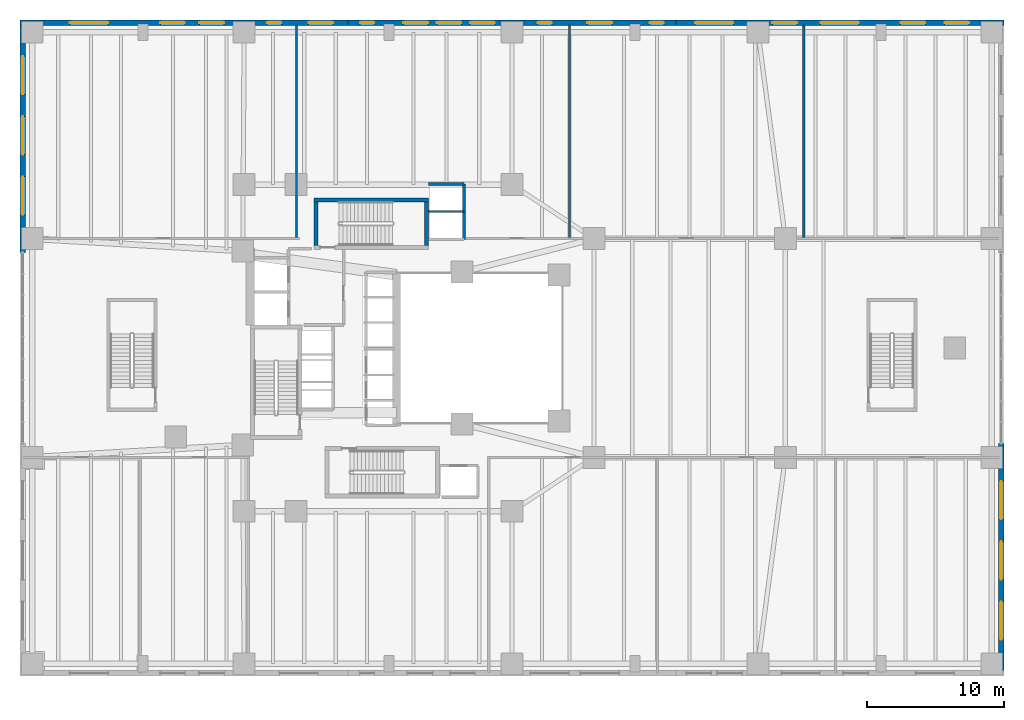
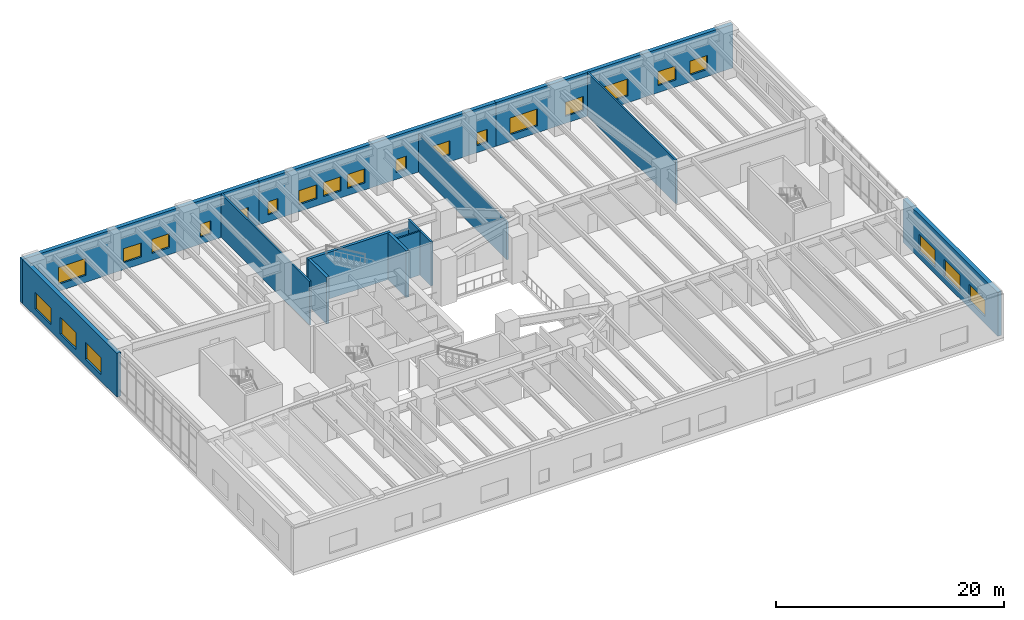
# One storey, part 15 of 18: 23 windows, 14 walls, 23 openings.
"""IFC4 building model written with IfcOpenShell, lengths in metres."""

from ifc_helpers import new_model, si_unit, direction, frame, frame_2d, origin, place, context, subcontext, project, spatial, rectangle, extrude, material, layer, layer_set, type_object, element, fill, save


model = new_model("IFC4")

# Units and contexts
model_context = context("Model", 3, precision=1e-05, world=origin(), true_north=direction((0.0, 1.0)))
body_context = subcontext(model_context, "Body", "Model", "MODEL_VIEW")
ifc_project = project(units=[si_unit("LENGTHUNIT", "METRE"), si_unit("AREAUNIT", "SQUARE_METRE"), si_unit("VOLUMEUNIT", "CUBIC_METRE"), si_unit("PLANEANGLEUNIT", "RADIAN"), si_unit("MASSUNIT", "GRAM", prefix="KILO"), si_unit("THERMODYNAMICTEMPERATUREUNIT", "KELVIN"), si_unit("POWERUNIT", "WATT")], contexts=[model_context])

# Site, building, storey
site_placement = place(None, origin())
site = spatial("IfcSite", under=ifc_project, at=site_placement, CompositionType="ELEMENT")
building_placement = place(site_placement, origin())
building = spatial("IfcBuilding", under=site, at=building_placement, Name="Skarre Station Tower", CompositionType="ELEMENT")
storey_placement = place(building_placement, frame((0.0, 0.0, 11.0)))
storey = spatial("IfcBuildingStorey", under=building, at=storey_placement, Name="L03", CompositionType="ELEMENT", Elevation=11.0)

# Wall, openings, windows
ifc_material_1 = material(Name="Precast concrete C45/55", Category="concrete")
ifc_layer_1 = layer(ifc_material_1, 0.39990234375, Name="Precast concrete C45/55")
ifc_layer_set_1 = layer_set([ifc_layer_1], Name="Precast concrete C45/55")
wall_type_1 = type_object("IfcWallType", Name="Nordic Granite Station Podium Wall 400", PredefinedType="STANDARD", material=ifc_layer_set_1)
wall_1_placement = place(storey_placement, frame((0.0, 47.800048828125, 0.0), z_axis=(0.0, 0.0, 1.0), x_axis=(1.0, 0.0, 0.0)))
wall_1 = element("IfcWall", 1, at=wall_1_placement, inside=storey, type_object=wall_type_1, Name="L03 North Podium Granite Wall NA", PredefinedType="STANDARD", context=body_context, shape_type="SweptSolid", body=[
    extrude(rectangle(XDim=24.0, YDim=0.39990234375, at=frame_2d((12.0, 0.0))), origin(), (0.0, 0.0, 1.0), 4.68994140625),
])
opening_1_placement = place(wall_1_placement, frame((3.64990234375, 0.0, 0.75)))
opening_1 = element("IfcOpeningElement", 2, at=opening_1_placement, cuts=wall_1, Name="Opening WN-POD", PredefinedType="OPENING", context=body_context, shape_type="SweptSolid", body=[
    extrude(rectangle(XDim=2.800048828125, YDim=1.800048828125, at=frame_2d((1.39990234375, 0.89990234375))), frame((0.0, 0.2099609375, 0.0), z_axis=(0.0, -1.0, 0.0), x_axis=(1.0, 0.0, 0.0)), (0.0, 0.0, 1.0), 0.419921875),
])
opening_2_placement = place(wall_1_placement, frame((10.27001953125, 0.0, 0.75)))
opening_2 = element("IfcOpeningElement", 3, at=opening_2_placement, cuts=wall_1, Name="Opening WN-Z1A", PredefinedType="OPENING", context=body_context, shape_type="SweptSolid", body=[
    extrude(rectangle(XDim=1.800048828125, YDim=1.5, at=frame_2d((0.89990234375, 0.75))), frame((0.0, 0.2099609375, 0.0), z_axis=(0.0, -1.0, 0.0), x_axis=(1.0, 0.0, 0.0)), (0.0, 0.0, 1.0), 0.419921875),
])
opening_3_placement = place(wall_1_placement, frame((13.1298828125, 0.0, 0.75)))
opening_3 = element("IfcOpeningElement", 4, at=opening_3_placement, cuts=wall_1, Name="Opening WN-Z1A", PredefinedType="OPENING", context=body_context, shape_type="SweptSolid", body=[
    extrude(rectangle(XDim=1.800048828125, YDim=1.5, at=frame_2d((0.89990234375, 0.75))), frame((0.0, 0.2099609375, 0.0), z_axis=(0.0, -1.0, 0.0), x_axis=(1.0, 0.0, 0.0)), (0.0, 0.0, 1.0), 0.419921875),
])
opening_4_placement = place(wall_1_placement, frame((18.076904296875, 0.0, 0.75)))
opening_4 = element("IfcOpeningElement", 5, at=opening_4_placement, cuts=wall_1, Name="Opening WN-SLT", PredefinedType="OPENING", context=body_context, shape_type="SweptSolid", body=[
    extrude(rectangle(XDim=1.050048828125, YDim=1.39990234375, at=frame_2d((0.52490234375, 0.699951171875))), frame((0.0, 0.2099609375, 0.0), z_axis=(0.0, -1.0, 0.0), x_axis=(1.0, 0.0, 0.0)), (0.0, 0.0, 1.0), 0.419921875),
])
opening_5_placement = place(wall_1_placement, frame((21.118896484375, 0.0, 0.75)))
opening_5 = element("IfcOpeningElement", 6, at=opening_5_placement, cuts=wall_1, Name="Opening WN-Z1A", PredefinedType="OPENING", context=body_context, shape_type="SweptSolid", body=[
    extrude(rectangle(XDim=1.800048828125, YDim=1.5, at=frame_2d((0.89990234375, 0.75))), frame((0.0, 0.2099609375, 0.0), z_axis=(0.0, -1.0, 0.0), x_axis=(1.0, 0.0, 0.0)), (0.0, 0.0, 1.0), 0.419921875),
])
ifc_material_2 = material(Name="Low-Iron Triple Glazing with Bronze Anodized Frame", Category="glass")
window_type_1 = type_object("IfcWindowType", Name="Nordic Corner Slot Window 1050x1400", PartitioningType="SINGLE_PANEL", PredefinedType="WINDOW", material=ifc_material_2)
window_1_placement = place(opening_4_placement, origin())
window_1 = element("IfcWindow", 7, at=window_1_placement, inside=storey, type_object=window_type_1, Name="L03 Facade Window WL-POD-L03-NA-4", OverallHeight=1.39990234375, OverallWidth=1.050048828125, PartitioningType="SINGLE_PANEL", PredefinedType="WINDOW", context=body_context, shape_type="SweptSolid", body=[
    extrude(rectangle(XDim=1.050048828125, YDim=1.39990234375, at=frame_2d((0.52490234375, 0.699951171875))), frame((0.0, 0.030029296875, 0.0), z_axis=(0.0, -1.0, 0.0), x_axis=(1.0, 0.0, 0.0)), (0.0, 0.0, 1.0), 0.06005859375),
])
fill(opening_4, window_1)
window_type_2 = type_object("IfcWindowType", Name="Nordic Punched Triple-Glazed Window 1800x1500", PartitioningType="SINGLE_PANEL", PredefinedType="WINDOW", material=ifc_material_2)
window_2_placement = place(opening_2_placement, origin())
window_2 = element("IfcWindow", 8, at=window_2_placement, inside=storey, type_object=window_type_2, Name="L03 Facade Window WL-POD-L03-NA-2", OverallHeight=1.5, OverallWidth=1.800048828125, PartitioningType="SINGLE_PANEL", PredefinedType="WINDOW", context=body_context, shape_type="SweptSolid", body=[
    extrude(rectangle(XDim=1.800048828125, YDim=1.5, at=frame_2d((0.89990234375, 0.75))), frame((0.0, 0.030029296875, 0.0), z_axis=(0.0, -1.0, 0.0), x_axis=(1.0, 0.0, 0.0)), (0.0, 0.0, 1.0), 0.06005859375),
])
fill(opening_2, window_2)
window_3_placement = place(opening_3_placement, origin())
window_3 = element("IfcWindow", 9, at=window_3_placement, inside=storey, type_object=window_type_2, Name="L03 Facade Window WL-POD-L03-NA-3", OverallHeight=1.5, OverallWidth=1.800048828125, PartitioningType="SINGLE_PANEL", PredefinedType="WINDOW", context=body_context, shape_type="SweptSolid", body=[
    extrude(rectangle(XDim=1.800048828125, YDim=1.5, at=frame_2d((0.89990234375, 0.75))), frame((0.0, 0.030029296875, 0.0), z_axis=(0.0, -1.0, 0.0), x_axis=(1.0, 0.0, 0.0)), (0.0, 0.0, 1.0), 0.06005859375),
])
fill(opening_3, window_3)
window_4_placement = place(opening_5_placement, origin())
window_4 = element("IfcWindow", 10, at=window_4_placement, inside=storey, type_object=window_type_2, Name="L03 Facade Window WL-POD-L03-NA-5", OverallHeight=1.5, OverallWidth=1.800048828125, PartitioningType="SINGLE_PANEL", PredefinedType="WINDOW", context=body_context, shape_type="SweptSolid", body=[
    extrude(rectangle(XDim=1.800048828125, YDim=1.5, at=frame_2d((0.89990234375, 0.75))), frame((0.0, 0.030029296875, 0.0), z_axis=(0.0, -1.0, 0.0), x_axis=(1.0, 0.0, 0.0)), (0.0, 0.0, 1.0), 0.06005859375),
])
fill(opening_5, window_4)
window_type_3 = type_object("IfcWindowType", Name="Podium Clerestory Ribbon Window 2800x1800", PartitioningType="SINGLE_PANEL", PredefinedType="WINDOW", material=ifc_material_2)
window_5_placement = place(opening_1_placement, origin())
window_5 = element("IfcWindow", 11, at=window_5_placement, inside=storey, type_object=window_type_3, Name="L03 Facade Window WL-POD-L03-NA-1", OverallHeight=1.800048828125, OverallWidth=2.800048828125, PartitioningType="SINGLE_PANEL", PredefinedType="WINDOW", context=body_context, shape_type="SweptSolid", body=[
    extrude(rectangle(XDim=2.800048828125, YDim=1.800048828125, at=frame_2d((1.39990234375, 0.89990234375))), frame((0.0, 0.030029296875, 0.0), z_axis=(0.0, -1.0, 0.0), x_axis=(1.0, 0.0, 0.0)), (0.0, 0.0, 1.0), 0.06005859375),
])
fill(opening_1, window_5)

wall_2_placement = place(storey_placement, frame((24.0, 47.800048828125, 0.0), z_axis=(0.0, 0.0, 1.0), x_axis=(1.0, 0.0, 0.0)))
wall_2 = element("IfcWall", 12, at=wall_2_placement, inside=storey, type_object=wall_type_1, Name="L03 North Podium Granite Wall NB", PredefinedType="STANDARD", context=body_context, shape_type="SweptSolid", body=[
    extrude(rectangle(XDim=24.0, YDim=0.39990234375, at=frame_2d((12.0, 0.0))), origin(), (0.0, 0.0, 1.0), 4.68994140625),
])
opening_6_placement = place(wall_2_placement, frame((0.8798828125, 0.0, 0.75)))
opening_6 = element("IfcOpeningElement", 13, at=opening_6_placement, cuts=wall_2, Name="Opening WN-SLT", PredefinedType="OPENING", context=body_context, shape_type="SweptSolid", body=[
    extrude(rectangle(XDim=1.050048828125, YDim=1.39990234375, at=frame_2d((0.52490234375, 0.699951171875))), frame((0.0, 0.2099609375, 0.0), z_axis=(0.0, -1.0, 0.0), x_axis=(1.0, 0.0, 0.0)), (0.0, 0.0, 1.0), 0.419921875),
])
opening_7_placement = place(wall_2_placement, frame((4.06005859375, 0.0, 0.75)))
opening_7 = element("IfcOpeningElement", 14, at=opening_7_placement, cuts=wall_2, Name="Opening WN-Z1A", PredefinedType="OPENING", context=body_context, shape_type="SweptSolid", body=[
    extrude(rectangle(XDim=1.800048828125, YDim=1.5, at=frame_2d((0.89990234375, 0.75))), frame((0.0, 0.2099609375, 0.0), z_axis=(0.0, -1.0, 0.0), x_axis=(1.0, 0.0, 0.0)), (0.0, 0.0, 1.0), 0.419921875),
])
opening_8_placement = place(wall_2_placement, frame((6.5, 0.0, 0.75)))
opening_8 = element("IfcOpeningElement", 15, at=opening_8_placement, cuts=wall_2, Name="Opening WN-Z1A", PredefinedType="OPENING", context=body_context, shape_type="SweptSolid", body=[
    extrude(rectangle(XDim=1.800048828125, YDim=1.5, at=frame_2d((0.89990234375, 0.75))), frame((0.0, 0.2099609375, 0.0), z_axis=(0.0, -1.0, 0.0), x_axis=(1.0, 0.0, 0.0)), (0.0, 0.0, 1.0), 0.419921875),
])
opening_9_placement = place(wall_2_placement, frame((8.93994140625, 0.0, 0.75)))
opening_9 = element("IfcOpeningElement", 16, at=opening_9_placement, cuts=wall_2, Name="Opening WN-Z1A", PredefinedType="OPENING", context=body_context, shape_type="SweptSolid", body=[
    extrude(rectangle(XDim=1.800048828125, YDim=1.5, at=frame_2d((0.89990234375, 0.75))), frame((0.0, 0.2099609375, 0.0), z_axis=(0.0, -1.0, 0.0), x_axis=(1.0, 0.0, 0.0)), (0.0, 0.0, 1.0), 0.419921875),
])
opening_10_placement = place(wall_2_placement, frame((13.8701171875, 0.0, 0.75)))
opening_10 = element("IfcOpeningElement", 17, at=opening_10_placement, cuts=wall_2, Name="Opening WN-SLT", PredefinedType="OPENING", context=body_context, shape_type="SweptSolid", body=[
    extrude(rectangle(XDim=1.050048828125, YDim=1.39990234375, at=frame_2d((0.52490234375, 0.699951171875))), frame((0.0, 0.2099609375, 0.0), z_axis=(0.0, -1.0, 0.0), x_axis=(1.0, 0.0, 0.0)), (0.0, 0.0, 1.0), 0.419921875),
])
opening_11_placement = place(wall_2_placement, frame((17.51806640625, 0.0, 0.75)))
opening_11 = element("IfcOpeningElement", 18, at=opening_11_placement, cuts=wall_2, Name="Opening WN-Z1A", PredefinedType="OPENING", context=body_context, shape_type="SweptSolid", body=[
    extrude(rectangle(XDim=1.800048828125, YDim=1.5, at=frame_2d((0.89990234375, 0.75))), frame((0.0, 0.2099609375, 0.0), z_axis=(0.0, -1.0, 0.0), x_axis=(1.0, 0.0, 0.0)), (0.0, 0.0, 1.0), 0.419921875),
])
opening_12_placement = place(wall_2_placement, frame((22.070068359375, 0.0, 0.75)))
opening_12 = element("IfcOpeningElement", 19, at=opening_12_placement, cuts=wall_2, Name="Opening WN-SLT", PredefinedType="OPENING", context=body_context, shape_type="SweptSolid", body=[
    extrude(rectangle(XDim=1.050048828125, YDim=1.39990234375, at=frame_2d((0.52490234375, 0.699951171875))), frame((0.0, 0.2099609375, 0.0), z_axis=(0.0, -1.0, 0.0), x_axis=(1.0, 0.0, 0.0)), (0.0, 0.0, 1.0), 0.419921875),
])
window_6_placement = place(opening_6_placement, origin())
window_6 = element("IfcWindow", 20, at=window_6_placement, inside=storey, type_object=window_type_1, Name="L03 Facade Window WL-POD-L03-NB-1", OverallHeight=1.39990234375, OverallWidth=1.050048828125, PartitioningType="SINGLE_PANEL", PredefinedType="WINDOW", context=body_context, shape_type="SweptSolid", body=[
    extrude(rectangle(XDim=1.050048828125, YDim=1.39990234375, at=frame_2d((0.52490234375, 0.699951171875))), frame((0.0, 0.030029296875, 0.0), z_axis=(0.0, -1.0, 0.0), x_axis=(1.0, 0.0, 0.0)), (0.0, 0.0, 1.0), 0.06005859375),
])
fill(opening_6, window_6)
window_7_placement = place(opening_10_placement, origin())
window_7 = element("IfcWindow", 21, at=window_7_placement, inside=storey, type_object=window_type_1, Name="L03 Facade Window WL-POD-L03-NB-5", OverallHeight=1.39990234375, OverallWidth=1.050048828125, PartitioningType="SINGLE_PANEL", PredefinedType="WINDOW", context=body_context, shape_type="SweptSolid", body=[
    extrude(rectangle(XDim=1.050048828125, YDim=1.39990234375, at=frame_2d((0.52490234375, 0.699951171875))), frame((0.0, 0.030029296875, 0.0), z_axis=(0.0, -1.0, 0.0), x_axis=(1.0, 0.0, 0.0)), (0.0, 0.0, 1.0), 0.06005859375),
])
fill(opening_10, window_7)
window_8_placement = place(opening_12_placement, origin())
window_8 = element("IfcWindow", 22, at=window_8_placement, inside=storey, type_object=window_type_1, Name="L03 Facade Window WL-POD-L03-NB-7", OverallHeight=1.39990234375, OverallWidth=1.050048828125, PartitioningType="SINGLE_PANEL", PredefinedType="WINDOW", context=body_context, shape_type="SweptSolid", body=[
    extrude(rectangle(XDim=1.050048828125, YDim=1.39990234375, at=frame_2d((0.52490234375, 0.699951171875))), frame((0.0, 0.030029296875, 0.0), z_axis=(0.0, -1.0, 0.0), x_axis=(1.0, 0.0, 0.0)), (0.0, 0.0, 1.0), 0.06005859375),
])
fill(opening_12, window_8)
window_9_placement = place(opening_7_placement, origin())
window_9 = element("IfcWindow", 23, at=window_9_placement, inside=storey, type_object=window_type_2, Name="L03 Facade Window WL-POD-L03-NB-2", OverallHeight=1.5, OverallWidth=1.800048828125, PartitioningType="SINGLE_PANEL", PredefinedType="WINDOW", context=body_context, shape_type="SweptSolid", body=[
    extrude(rectangle(XDim=1.800048828125, YDim=1.5, at=frame_2d((0.89990234375, 0.75))), frame((0.0, 0.030029296875, 0.0), z_axis=(0.0, -1.0, 0.0), x_axis=(1.0, 0.0, 0.0)), (0.0, 0.0, 1.0), 0.06005859375),
])
fill(opening_7, window_9)
window_10_placement = place(opening_8_placement, origin())
window_10 = element("IfcWindow", 24, at=window_10_placement, inside=storey, type_object=window_type_2, Name="L03 Facade Window WL-POD-L03-NB-3", OverallHeight=1.5, OverallWidth=1.800048828125, PartitioningType="SINGLE_PANEL", PredefinedType="WINDOW", context=body_context, shape_type="SweptSolid", body=[
    extrude(rectangle(XDim=1.800048828125, YDim=1.5, at=frame_2d((0.89990234375, 0.75))), frame((0.0, 0.030029296875, 0.0), z_axis=(0.0, -1.0, 0.0), x_axis=(1.0, 0.0, 0.0)), (0.0, 0.0, 1.0), 0.06005859375),
])
fill(opening_8, window_10)
window_11_placement = place(opening_9_placement, origin())
window_11 = element("IfcWindow", 25, at=window_11_placement, inside=storey, type_object=window_type_2, Name="L03 Facade Window WL-POD-L03-NB-4", OverallHeight=1.5, OverallWidth=1.800048828125, PartitioningType="SINGLE_PANEL", PredefinedType="WINDOW", context=body_context, shape_type="SweptSolid", body=[
    extrude(rectangle(XDim=1.800048828125, YDim=1.5, at=frame_2d((0.89990234375, 0.75))), frame((0.0, 0.030029296875, 0.0), z_axis=(0.0, -1.0, 0.0), x_axis=(1.0, 0.0, 0.0)), (0.0, 0.0, 1.0), 0.06005859375),
])
fill(opening_9, window_11)
window_12_placement = place(opening_11_placement, origin())
window_12 = element("IfcWindow", 26, at=window_12_placement, inside=storey, type_object=window_type_2, Name="L03 Facade Window WL-POD-L03-NB-6", OverallHeight=1.5, OverallWidth=1.800048828125, PartitioningType="SINGLE_PANEL", PredefinedType="WINDOW", context=body_context, shape_type="SweptSolid", body=[
    extrude(rectangle(XDim=1.800048828125, YDim=1.5, at=frame_2d((0.89990234375, 0.75))), frame((0.0, 0.030029296875, 0.0), z_axis=(0.0, -1.0, 0.0), x_axis=(1.0, 0.0, 0.0)), (0.0, 0.0, 1.0), 0.06005859375),
])
fill(opening_11, window_12)

wall_3_placement = place(storey_placement, frame((48.0, 47.800048828125, 0.0), z_axis=(0.0, 0.0, 1.0), x_axis=(1.0, 0.0, 0.0)))
wall_3 = element("IfcWall", 27, at=wall_3_placement, inside=storey, type_object=wall_type_1, Name="L03 North Podium Granite Wall NC", PredefinedType="STANDARD", context=body_context, shape_type="SweptSolid", body=[
    extrude(rectangle(XDim=24.0, YDim=0.39990234375, at=frame_2d((12.0, 0.0))), origin(), (0.0, 0.0, 1.0), 4.68994140625),
])
opening_13_placement = place(wall_3_placement, frame((1.405029296875, 0.0, 0.75)))
opening_13 = element("IfcOpeningElement", 28, at=opening_13_placement, cuts=wall_3, Name="Opening WN-POD", PredefinedType="OPENING", context=body_context, shape_type="SweptSolid", body=[
    extrude(rectangle(XDim=2.800048828125, YDim=1.800048828125, at=frame_2d((1.39990234375, 0.89990234375))), frame((0.0, 0.2099609375, 0.0), z_axis=(0.0, -1.0, 0.0), x_axis=(1.0, 0.0, 0.0)), (0.0, 0.0, 1.0), 0.419921875),
])
opening_14_placement = place(wall_3_placement, frame((7.06103515625, 0.0, 0.75)))
opening_14 = element("IfcOpeningElement", 29, at=opening_14_placement, cuts=wall_3, Name="Opening WN-Z1A", PredefinedType="OPENING", context=body_context, shape_type="SweptSolid", body=[
    extrude(rectangle(XDim=1.800048828125, YDim=1.5, at=frame_2d((0.89990234375, 0.75))), frame((0.0, 0.2099609375, 0.0), z_axis=(0.0, -1.0, 0.0), x_axis=(1.0, 0.0, 0.0)), (0.0, 0.0, 1.0), 0.419921875),
])
opening_15_placement = place(wall_3_placement, frame((10.5830078125, 0.0, 0.75)))
opening_15 = element("IfcOpeningElement", 30, at=opening_15_placement, cuts=wall_3, Name="Opening WN-POD", PredefinedType="OPENING", context=body_context, shape_type="SweptSolid", body=[
    extrude(rectangle(XDim=2.800048828125, YDim=1.800048828125, at=frame_2d((1.39990234375, 0.89990234375))), frame((0.0, 0.2099609375, 0.0), z_axis=(0.0, -1.0, 0.0), x_axis=(1.0, 0.0, 0.0)), (0.0, 0.0, 1.0), 0.419921875),
])
opening_16_placement = place(wall_3_placement, frame((16.445068359375, 0.0, 0.75)))
opening_16 = element("IfcOpeningElement", 31, at=opening_16_placement, cuts=wall_3, Name="Opening WN-Z1A", PredefinedType="OPENING", context=body_context, shape_type="SweptSolid", body=[
    extrude(rectangle(XDim=1.800048828125, YDim=1.5, at=frame_2d((0.89990234375, 0.75))), frame((0.0, 0.2099609375, 0.0), z_axis=(0.0, -1.0, 0.0), x_axis=(1.0, 0.0, 0.0)), (0.0, 0.0, 1.0), 0.419921875),
])
opening_17_placement = place(wall_3_placement, frame((19.655029296875, 0.0, 0.75)))
opening_17 = element("IfcOpeningElement", 32, at=opening_17_placement, cuts=wall_3, Name="Opening WN-Z1A", PredefinedType="OPENING", context=body_context, shape_type="SweptSolid", body=[
    extrude(rectangle(XDim=1.800048828125, YDim=1.5, at=frame_2d((0.89990234375, 0.75))), frame((0.0, 0.2099609375, 0.0), z_axis=(0.0, -1.0, 0.0), x_axis=(1.0, 0.0, 0.0)), (0.0, 0.0, 1.0), 0.419921875),
])
window_13_placement = place(opening_14_placement, origin())
window_13 = element("IfcWindow", 33, at=window_13_placement, inside=storey, type_object=window_type_2, Name="L03 Facade Window WL-POD-L03-NC-2", OverallHeight=1.5, OverallWidth=1.800048828125, PartitioningType="SINGLE_PANEL", PredefinedType="WINDOW", context=body_context, shape_type="SweptSolid", body=[
    extrude(rectangle(XDim=1.800048828125, YDim=1.5, at=frame_2d((0.89990234375, 0.75))), frame((0.0, 0.030029296875, 0.0), z_axis=(0.0, -1.0, 0.0), x_axis=(1.0, 0.0, 0.0)), (0.0, 0.0, 1.0), 0.06005859375),
])
fill(opening_14, window_13)
window_14_placement = place(opening_16_placement, origin())
window_14 = element("IfcWindow", 34, at=window_14_placement, inside=storey, type_object=window_type_2, Name="L03 Facade Window WL-POD-L03-NC-4", OverallHeight=1.5, OverallWidth=1.800048828125, PartitioningType="SINGLE_PANEL", PredefinedType="WINDOW", context=body_context, shape_type="SweptSolid", body=[
    extrude(rectangle(XDim=1.800048828125, YDim=1.5, at=frame_2d((0.89990234375, 0.75))), frame((0.0, 0.030029296875, 0.0), z_axis=(0.0, -1.0, 0.0), x_axis=(1.0, 0.0, 0.0)), (0.0, 0.0, 1.0), 0.06005859375),
])
fill(opening_16, window_14)
window_15_placement = place(opening_17_placement, origin())
window_15 = element("IfcWindow", 35, at=window_15_placement, inside=storey, type_object=window_type_2, Name="L03 Facade Window WL-POD-L03-NC-5", OverallHeight=1.5, OverallWidth=1.800048828125, PartitioningType="SINGLE_PANEL", PredefinedType="WINDOW", context=body_context, shape_type="SweptSolid", body=[
    extrude(rectangle(XDim=1.800048828125, YDim=1.5, at=frame_2d((0.89990234375, 0.75))), frame((0.0, 0.030029296875, 0.0), z_axis=(0.0, -1.0, 0.0), x_axis=(1.0, 0.0, 0.0)), (0.0, 0.0, 1.0), 0.06005859375),
])
fill(opening_17, window_15)
window_16_placement = place(opening_13_placement, origin())
window_16 = element("IfcWindow", 36, at=window_16_placement, inside=storey, type_object=window_type_3, Name="L03 Facade Window WL-POD-L03-NC-1", OverallHeight=1.800048828125, OverallWidth=2.800048828125, PartitioningType="SINGLE_PANEL", PredefinedType="WINDOW", context=body_context, shape_type="SweptSolid", body=[
    extrude(rectangle(XDim=2.800048828125, YDim=1.800048828125, at=frame_2d((1.39990234375, 0.89990234375))), frame((0.0, 0.030029296875, 0.0), z_axis=(0.0, -1.0, 0.0), x_axis=(1.0, 0.0, 0.0)), (0.0, 0.0, 1.0), 0.06005859375),
])
fill(opening_13, window_16)
window_17_placement = place(opening_15_placement, origin())
window_17 = element("IfcWindow", 37, at=window_17_placement, inside=storey, type_object=window_type_3, Name="L03 Facade Window WL-POD-L03-NC-3", OverallHeight=1.800048828125, OverallWidth=2.800048828125, PartitioningType="SINGLE_PANEL", PredefinedType="WINDOW", context=body_context, shape_type="SweptSolid", body=[
    extrude(rectangle(XDim=2.800048828125, YDim=1.800048828125, at=frame_2d((1.39990234375, 0.89990234375))), frame((0.0, 0.030029296875, 0.0), z_axis=(0.0, -1.0, 0.0), x_axis=(1.0, 0.0, 0.0)), (0.0, 0.0, 1.0), 0.06005859375),
])
fill(opening_15, window_17)

wall_4_placement = place(storey_placement, frame((0.199951171875, 31.0, 0.0), z_axis=(0.0, 0.0, 1.0), x_axis=(0.0, 1.0, 0.0)))
wall_4 = element("IfcWall", 38, at=wall_4_placement, inside=storey, type_object=wall_type_1, Name="L03 Podium Granite Wall WB", PredefinedType="STANDARD", context=body_context, shape_type="SweptSolid", body=[
    extrude(rectangle(XDim=16.60009765625, YDim=0.39990234375, at=frame_2d((8.300048828125, 0.0))), origin(), (0.0, 0.0, 1.0), 4.68994140625),
])
opening_18_placement = place(wall_4_placement, frame((2.742919921875, 0.0, 0.75)))
opening_18 = element("IfcOpeningElement", 39, at=opening_18_placement, cuts=wall_4, Name="Opening WN-POD", PredefinedType="OPENING", context=body_context, shape_type="SweptSolid", body=[
    extrude(rectangle(XDim=2.800048828125, YDim=1.800048828125, at=frame_2d((1.39990234375, 0.89990234375))), frame((0.0, 0.2099609375, 0.0), z_axis=(0.0, -1.0, 0.0), x_axis=(1.0, 0.0, 0.0)), (0.0, 0.0, 1.0), 0.419921875),
])
opening_19_placement = place(wall_4_placement, frame((7.14990234375, 0.0, 0.75)))
opening_19 = element("IfcOpeningElement", 40, at=opening_19_placement, cuts=wall_4, Name="Opening WN-POD", PredefinedType="OPENING", context=body_context, shape_type="SweptSolid", body=[
    extrude(rectangle(XDim=2.800048828125, YDim=1.800048828125, at=frame_2d((1.39990234375, 0.89990234375))), frame((0.0, 0.2099609375, 0.0), z_axis=(0.0, -1.0, 0.0), x_axis=(1.0, 0.0, 0.0)), (0.0, 0.0, 1.0), 0.419921875),
])
opening_20_placement = place(wall_4_placement, frame((11.556884765625, 0.0, 0.75)))
opening_20 = element("IfcOpeningElement", 41, at=opening_20_placement, cuts=wall_4, Name="Opening WN-POD", PredefinedType="OPENING", context=body_context, shape_type="SweptSolid", body=[
    extrude(rectangle(XDim=2.800048828125, YDim=1.800048828125, at=frame_2d((1.39990234375, 0.89990234375))), frame((0.0, 0.2099609375, 0.0), z_axis=(0.0, -1.0, 0.0), x_axis=(1.0, 0.0, 0.0)), (0.0, 0.0, 1.0), 0.419921875),
])
window_18_placement = place(opening_18_placement, origin())
window_18 = element("IfcWindow", 42, at=window_18_placement, inside=storey, type_object=window_type_3, Name="L03 Facade Window WL-POD-L03-WB-1", OverallHeight=1.800048828125, OverallWidth=2.800048828125, PartitioningType="SINGLE_PANEL", PredefinedType="WINDOW", context=body_context, shape_type="SweptSolid", body=[
    extrude(rectangle(XDim=2.800048828125, YDim=1.800048828125, at=frame_2d((1.39990234375, 0.89990234375))), frame((0.0, 0.030029296875, 0.0), z_axis=(0.0, -1.0, 0.0), x_axis=(1.0, 0.0, 0.0)), (0.0, 0.0, 1.0), 0.06005859375),
])
fill(opening_18, window_18)
window_19_placement = place(opening_19_placement, origin())
window_19 = element("IfcWindow", 43, at=window_19_placement, inside=storey, type_object=window_type_3, Name="L03 Facade Window WL-POD-L03-WB-2", OverallHeight=1.800048828125, OverallWidth=2.800048828125, PartitioningType="SINGLE_PANEL", PredefinedType="WINDOW", context=body_context, shape_type="SweptSolid", body=[
    extrude(rectangle(XDim=2.800048828125, YDim=1.800048828125, at=frame_2d((1.39990234375, 0.89990234375))), frame((0.0, 0.030029296875, 0.0), z_axis=(0.0, -1.0, 0.0), x_axis=(1.0, 0.0, 0.0)), (0.0, 0.0, 1.0), 0.06005859375),
])
fill(opening_19, window_19)
window_20_placement = place(opening_20_placement, origin())
window_20 = element("IfcWindow", 44, at=window_20_placement, inside=storey, type_object=window_type_3, Name="L03 Facade Window WL-POD-L03-WB-3", OverallHeight=1.800048828125, OverallWidth=2.800048828125, PartitioningType="SINGLE_PANEL", PredefinedType="WINDOW", context=body_context, shape_type="SweptSolid", body=[
    extrude(rectangle(XDim=2.800048828125, YDim=1.800048828125, at=frame_2d((1.39990234375, 0.89990234375))), frame((0.0, 0.030029296875, 0.0), z_axis=(0.0, -1.0, 0.0), x_axis=(1.0, 0.0, 0.0)), (0.0, 0.0, 1.0), 0.06005859375),
])
fill(opening_20, window_20)

wall_5_placement = place(storey_placement, frame((71.800048828125, 17.0, 0.0), z_axis=(0.0, 0.0, 1.0), x_axis=(0.0, -1.0, 0.0)))
wall_5 = element("IfcWall", 45, at=wall_5_placement, inside=storey, type_object=wall_type_1, Name="L03 Podium Granite Wall EB", PredefinedType="STANDARD", context=body_context, shape_type="SweptSolid", body=[
    extrude(rectangle(XDim=16.60009765625, YDim=0.39990234375, at=frame_2d((8.300048828125, 0.0))), origin(), (0.0, 0.0, 1.0), 4.68994140625),
])
opening_21_placement = place(wall_5_placement, frame((2.742919921875, 0.0, 0.75)))
opening_21 = element("IfcOpeningElement", 46, at=opening_21_placement, cuts=wall_5, Name="Opening WN-POD", PredefinedType="OPENING", context=body_context, shape_type="SweptSolid", body=[
    extrude(rectangle(XDim=2.800048828125, YDim=1.800048828125, at=frame_2d((1.39990234375, 0.89990234375))), frame((0.0, 0.2099609375, 0.0), z_axis=(0.0, -1.0, 0.0), x_axis=(1.0, 0.0, 0.0)), (0.0, 0.0, 1.0), 0.419921875),
])
opening_22_placement = place(wall_5_placement, frame((7.14990234375, 0.0, 0.75)))
opening_22 = element("IfcOpeningElement", 47, at=opening_22_placement, cuts=wall_5, Name="Opening WN-POD", PredefinedType="OPENING", context=body_context, shape_type="SweptSolid", body=[
    extrude(rectangle(XDim=2.800048828125, YDim=1.800048828125, at=frame_2d((1.39990234375, 0.89990234375))), frame((0.0, 0.2099609375, 0.0), z_axis=(0.0, -1.0, 0.0), x_axis=(1.0, 0.0, 0.0)), (0.0, 0.0, 1.0), 0.419921875),
])
opening_23_placement = place(wall_5_placement, frame((11.556884765625, 0.0, 0.75)))
opening_23 = element("IfcOpeningElement", 48, at=opening_23_placement, cuts=wall_5, Name="Opening WN-POD", PredefinedType="OPENING", context=body_context, shape_type="SweptSolid", body=[
    extrude(rectangle(XDim=2.800048828125, YDim=1.800048828125, at=frame_2d((1.39990234375, 0.89990234375))), frame((0.0, 0.2099609375, 0.0), z_axis=(0.0, -1.0, 0.0), x_axis=(1.0, 0.0, 0.0)), (0.0, 0.0, 1.0), 0.419921875),
])
window_21_placement = place(opening_21_placement, origin())
window_21 = element("IfcWindow", 49, at=window_21_placement, inside=storey, type_object=window_type_3, Name="L03 Facade Window WL-POD-L03-EB-1", OverallHeight=1.800048828125, OverallWidth=2.800048828125, PartitioningType="SINGLE_PANEL", PredefinedType="WINDOW", context=body_context, shape_type="SweptSolid", body=[
    extrude(rectangle(XDim=2.800048828125, YDim=1.800048828125, at=frame_2d((1.39990234375, 0.89990234375))), frame((0.0, 0.030029296875, 0.0), z_axis=(0.0, -1.0, 0.0), x_axis=(1.0, 0.0, 0.0)), (0.0, 0.0, 1.0), 0.06005859375),
])
fill(opening_21, window_21)
window_22_placement = place(opening_22_placement, origin())
window_22 = element("IfcWindow", 50, at=window_22_placement, inside=storey, type_object=window_type_3, Name="L03 Facade Window WL-POD-L03-EB-2", OverallHeight=1.800048828125, OverallWidth=2.800048828125, PartitioningType="SINGLE_PANEL", PredefinedType="WINDOW", context=body_context, shape_type="SweptSolid", body=[
    extrude(rectangle(XDim=2.800048828125, YDim=1.800048828125, at=frame_2d((1.39990234375, 0.89990234375))), frame((0.0, 0.030029296875, 0.0), z_axis=(0.0, -1.0, 0.0), x_axis=(1.0, 0.0, 0.0)), (0.0, 0.0, 1.0), 0.06005859375),
])
fill(opening_22, window_22)
window_23_placement = place(opening_23_placement, origin())
window_23 = element("IfcWindow", 51, at=window_23_placement, inside=storey, type_object=window_type_3, Name="L03 Facade Window WL-POD-L03-EB-3", OverallHeight=1.800048828125, OverallWidth=2.800048828125, PartitioningType="SINGLE_PANEL", PredefinedType="WINDOW", context=body_context, shape_type="SweptSolid", body=[
    extrude(rectangle(XDim=2.800048828125, YDim=1.800048828125, at=frame_2d((1.39990234375, 0.89990234375))), frame((0.0, 0.030029296875, 0.0), z_axis=(0.0, -1.0, 0.0), x_axis=(1.0, 0.0, 0.0)), (0.0, 0.0, 1.0), 0.06005859375),
])
fill(opening_23, window_23)

# Walls
ifc_material_3 = material(Name="Concrete C50/60", Category="concrete")
ifc_layer_2 = layer(ifc_material_3, 0.280029296875, Name="Concrete C50/60")
ifc_layer_set_2 = layer_set([ifc_layer_2], Name="Concrete C50/60")
wall_type_2 = type_object("IfcWallType", Name="RC Core Shear Wall 280", PredefinedType="SHEAR", material=ifc_layer_set_2)
wall_6_placement = place(storey_placement, frame((29.8798828125, 34.840087890625, 0.0), z_axis=(0.0, 0.0, 1.0), x_axis=(-1.0, 0.0, 0.0)))
element("IfcWall", 52, at=wall_6_placement, inside=storey, type_object=wall_type_2, Name="L03 Stair ST-3 North Shear Wall", PredefinedType="SHEAR", context=body_context, shape_type="SweptSolid", body=[
    extrude(rectangle(XDim=8.35986328125, YDim=0.280029296875, at=frame_2d((4.179931640625, 0.0))), origin(), (0.0, 0.0, 1.0), 5.0),
])
for number, where, z_axis, x_axis, name in (
    (53, (21.659912109375, 34.699951171875, 0.0), (0.0, 0.0, 1.0), (0.0, -1.0, 0.0), "L03 Stair ST-3 West Shear Wall"),
    (54, (29.739990234375, 31.5, 0.0), (0.0, 0.0, 1.0), (0.0, 1.0, 0.0), "L03 Stair ST-3 East Shear Wall"),
):
    element("IfcWall", number, at=place(storey_placement, frame(where, z_axis=z_axis, x_axis=x_axis)), inside=storey, type_object=wall_type_2, Name=name, PredefinedType="SHEAR", context=body_context, shape_type="SweptSolid", body=[
        extrude(rectangle(XDim=3.199951171875, YDim=0.280029296875, at=frame_2d((1.60009765625, 0.0))), origin(), (0.0, 0.0, 1.0), 5.0),
    ])
ifc_material_4 = material(Name="Gypsum Concrete Shaft Assembly C30/37", Category="concrete")
ifc_layer_3 = layer(ifc_material_4, 0.199951171875, Name="Gypsum Concrete Shaft Assembly C30/37")
ifc_layer_set_3 = layer_set([ifc_layer_3], Name="Gypsum Concrete Shaft Assembly C30/37")
wall_type_3 = type_object("IfcWallType", Name="Shaft & Core Fire Partition 200", PredefinedType="PARTITIONING", material=ifc_layer_set_3)
wall_7_placement = place(storey_placement, frame((32.47998046875, 31.949951171875, 0.0), z_axis=(0.0, 0.0, 1.0), x_axis=(0.0, 1.0, 0.0)))
element("IfcWall", 55, at=wall_7_placement, inside=storey, type_object=wall_type_3, Name="L03 Interior Partition WL-PT-L03-EX-E", PredefinedType="PARTITIONING", context=body_context, shape_type="SweptSolid", body=[
    extrude(rectangle(XDim=4.050048828125, YDim=0.199951171875, at=frame_2d((2.02490234375, 0.0))), origin(), (0.0, 0.0, 1.0), 4.68994140625),
])
wall_8_placement = place(storey_placement, frame((29.8798828125, 36.0, 0.0), z_axis=(0.0, 0.0, 1.0), x_axis=(1.0, 0.0, 0.0)))
element("IfcWall", 56, at=wall_8_placement, inside=storey, type_object=wall_type_3, Name="L03 Interior Partition WL-PT-L03-EX-N", PredefinedType="PARTITIONING", context=body_context, shape_type="SweptSolid", body=[
    extrude(rectangle(XDim=2.60009765625, YDim=0.199951171875, at=frame_2d((1.300048828125, 0.0))), origin(), (0.0, 0.0, 1.0), 3.741943359375),
])
wall_9_placement = place(storey_placement, frame((29.875, 33.97998046875, 0.0), z_axis=(0.0, 0.0, 1.0), x_axis=(1.0, 0.0, 0.0)))
element("IfcWall", 57, at=wall_9_placement, inside=storey, type_object=wall_type_3, Name="L03 Interior Partition WL-PT-L03-EX-DIV", PredefinedType="PARTITIONING", context=body_context, shape_type="SweptSolid", body=[
    extrude(rectangle(XDim=2.60498046875, YDim=0.159912109375, at=frame_2d((1.302490234375, 0.0))), origin(), (0.0, 0.0, 1.0), 4.68994140625),
])
ifc_material_5 = material(Name="Acoustic Steel-Stud Gypsum Partition", Category="steel")
ifc_layer_4 = layer(ifc_material_5, 0.1650390625, Name="Acoustic Steel-Stud Gypsum Partition")
ifc_layer_set_4 = layer_set([ifc_layer_4], Name="Acoustic Steel-Stud Gypsum Partition")
wall_type_4 = type_object("IfcWallType", Name="Suite Demising Acoustic Partition 165", PredefinedType="PARTITIONING", material=ifc_layer_set_4)
wall_10_placement = place(storey_placement, frame((20.22607421875, 32.090087890625, 0.0), z_axis=(0.0, 0.0, 1.0), x_axis=(0.0, 1.0, 0.0)))
element("IfcWall", 58, at=wall_10_placement, inside=storey, type_object=wall_type_4, Name="L03 Interior Partition WL-PT-L03-PDN-P1", PredefinedType="PARTITIONING", context=body_context, shape_type="SweptSolid", body=[
    extrude(rectangle(XDim=15.539794921875, YDim=0.1650390625, at=frame_2d((7.77001953125, 0.0))), origin(), (0.0, 0.0, 1.0), 4.68994140625),
])
wall_11_placement = place(storey_placement, frame((40.212890625, 32.090087890625, 0.0), z_axis=(0.0, 0.0, 1.0), x_axis=(0.0, 1.0, 0.0)))
element("IfcWall", 59, at=wall_11_placement, inside=storey, type_object=wall_type_4, Name="L03 Interior Partition WL-PT-L03-PDN-P2", PredefinedType="PARTITIONING", context=body_context, shape_type="SweptSolid", body=[
    extrude(rectangle(XDim=15.539794921875, YDim=0.1650390625, at=frame_2d((7.77001953125, 0.0))), origin(), (0.0, 0.0, 1.0), 4.08203125),
])
wall_12_placement = place(storey_placement, frame((57.343994140625, 32.090087890625, 0.0), z_axis=(0.0, 0.0, 1.0), x_axis=(0.0, 1.0, 0.0)))
element("IfcWall", 60, at=wall_12_placement, inside=storey, type_object=wall_type_4, Name="L03 Interior Partition WL-PT-L03-PDN-P3", PredefinedType="PARTITIONING", context=body_context, shape_type="SweptSolid", body=[
    extrude(rectangle(XDim=15.539794921875, YDim=0.1650390625, at=frame_2d((7.77001953125, 0.0))), origin(), (0.0, 0.0, 1.0), 4.68994140625),
])

save(model, "model.ifc")
